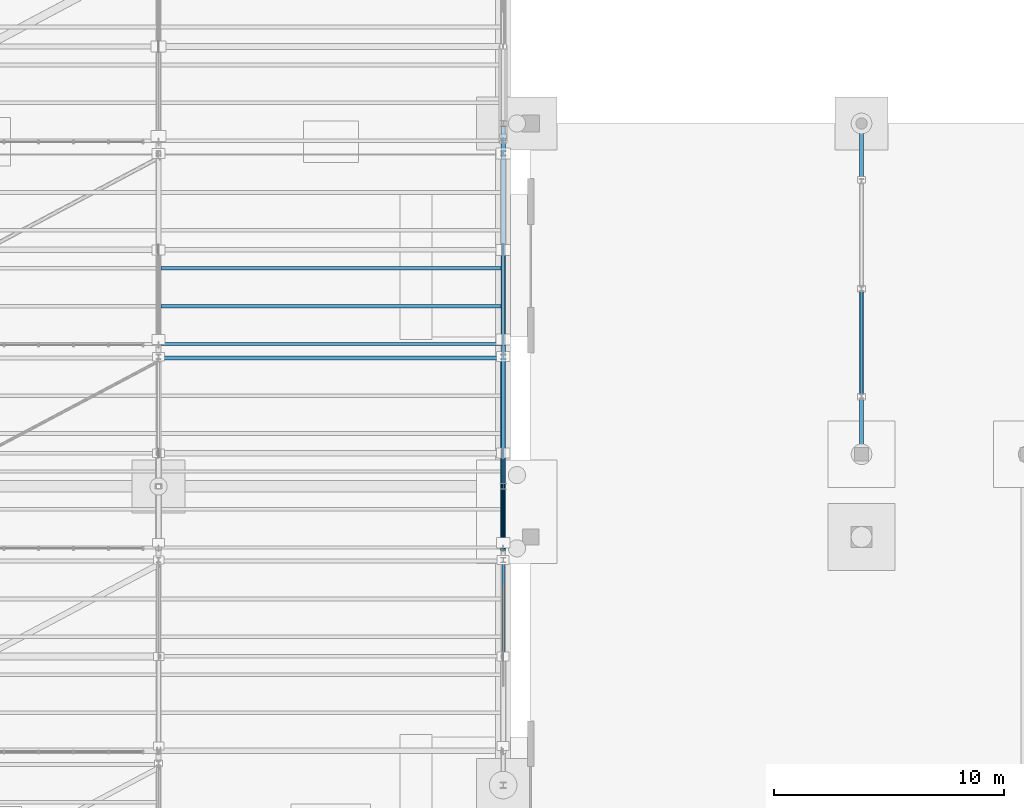
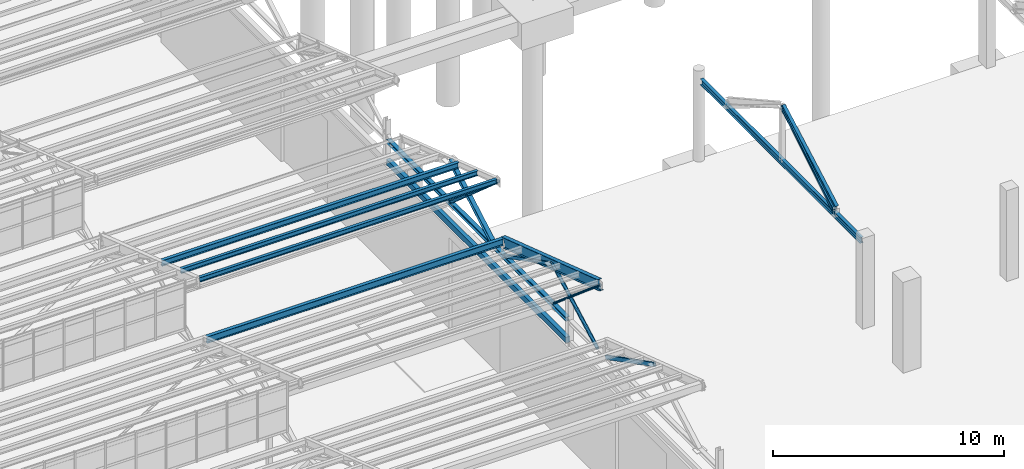
# One storey, part 121 of 285: 9 beams, 7 members.
"""IFC4 building model written with IfcOpenShell, lengths in metres."""

from ifc_helpers import new_model, si_unit, direction, frame, origin, origin_2d, place, context, subcontext, project, spatial, rectangle, hollow_rectangle, hollow_circle, i_section, extrude, material, material_profile, profile_set, type_object, element, save


model = new_model("IFC4")

# Units and contexts
model_context = context("Model", 3, precision=1e-05, world=origin(), true_north=direction((0.0, 1.0)))
body_context = subcontext(model_context, "Body", "Model", "MODEL_VIEW")
ifc_project = project(units=[si_unit("LENGTHUNIT", "METRE"), si_unit("AREAUNIT", "SQUARE_METRE"), si_unit("VOLUMEUNIT", "CUBIC_METRE"), si_unit("PLANEANGLEUNIT", "RADIAN"), si_unit("MASSUNIT", "GRAM", prefix="KILO")], contexts=[model_context])

# Site, building, storey
site_placement = place(None, origin())
site = spatial("IfcSite", under=ifc_project, at=site_placement, CompositionType="ELEMENT")
building_placement = place(site_placement, origin())
building = spatial("IfcBuilding", under=site, at=building_placement, Name="Solanera Park Tramway Depot", CompositionType="ELEMENT")
storey_placement = place(building_placement, origin())
storey = spatial("IfcBuildingStorey", under=building, at=storey_placement, Name="L00", CompositionType="ELEMENT", Elevation=0.0)

# Beam
ifc_material_1 = material(Name="Concrete N40 (C40/50)", Category="concrete")
ifc_material_profile_1 = material_profile(ifc_material_1, rectangle(XDim=0.199951171875, YDim=0.300048828125, at=origin_2d()), Name="LNT 200x300")
ifc_profile_set_1 = profile_set([ifc_material_profile_1], Name="Concrete N40 (C40/50)")
beam_type_1 = type_object("IfcBeamType", Name="Opening Lintel Beam LNT 200x300", PredefinedType="LINTEL", material=ifc_profile_set_1)
beam_1_placement = place(storey_placement, frame((150.0, 85.1201171875, 5.39990234375), z_axis=(0.0, 1.0, 0.0), x_axis=(-1.0, 0.0, 0.0)))
element("IfcBeam", 1, at=beam_1_placement, inside=storey, type_object=beam_type_1, Name="L00 Portal Transom Lintel LNT 200x300 #0299", PredefinedType="LINTEL", context=body_context, shape_type="SweptSolid", body=[
    extrude(rectangle(XDim=0.199951171875, YDim=0.300048828125, at=origin_2d()), origin(), (0.0, 0.0, 1.0), 15.559814453125),
])

# Members
ifc_material_2 = material(Name="Steel AS/NZS 1163 Grade C350L0", Category="steel")
ifc_material_profile_2 = material_profile(ifc_material_2, hollow_circle(Radius=0.084228515625, WallThickness=0.00634765625, at=origin_2d()), Name="168.3x6.4 CHS")
ifc_profile_set_2 = profile_set([ifc_material_profile_2], Name="Steel AS/NZS 1163 Grade C350L0")
member_type_1 = type_object("IfcMemberType", Name="Roof Gantry Compression Strut 168.3x6.4 CHS", PredefinedType="STRUT", material=ifc_profile_set_2)
member_1_placement = place(storey_placement, frame((150.0, 82.550048828125, 6.5), z_axis=(0.0, 0.877666599941, 0.479271675929), x_axis=(-1.0, 0.0, 0.0)))
element("IfcMember", 2, at=member_1_placement, inside=storey, type_object=member_type_1, Name="Sawtooth ROOF TRUSS Strut 168.3x6.4 CHS #0164", PredefinedType="STRUT", context=body_context, shape_type="SweptSolid", body=[
    extrude(hollow_circle(Radius=0.084228515625, WallThickness=0.00634765625, at=origin_2d()), origin(), (0.0, 0.0, 1.0), 4.443603515625),
])
ifc_material_3 = material(Name="Steel AS/NZS 3679.1 Grade 350", Category="steel")
ifc_material_profile_3 = material_profile(ifc_material_3, i_section(OverallWidth=0.205078125, OverallDepth=0.209716796875, WebThickness=0.00927734375, FlangeThickness=0.01416015625, at=origin_2d()), Name="200UC59.5")
ifc_profile_set_3 = profile_set([ifc_material_profile_3], Name="Steel AS/NZS 3679.1 Grade 350")
member_type_2 = type_object("IfcMemberType", Name="Roof Gantry Compression Strut 200UC59.5", PredefinedType="STRUT", material=ifc_profile_set_3)
member_2_placement = place(storey_placement, frame((150.0, 91.39990234375, 6.5), z_axis=(0.0, 0.866897509249, 0.498486417525), x_axis=(-1.0, 0.0, 0.0)))
element("IfcMember", 3, at=member_2_placement, inside=storey, type_object=member_type_2, Name="Sawtooth ROOF TRUSS Strut 200UC59.5 #0211", PredefinedType="STRUT", context=body_context, shape_type="SweptSolid", body=[
    extrude(i_section(OverallWidth=0.205078125, OverallDepth=0.209716796875, WebThickness=0.00927734375, FlangeThickness=0.01416015625, at=origin_2d()), origin(), (0.0, 0.0, 1.0), 4.4990234375),
])

# Beams
ifc_material_4 = material(Name="Steel AS/NZS 3679.1 Grade 350", Category="steel")
ifc_material_profile_4 = material_profile(ifc_material_4, i_section(OverallWidth=0.205078125, OverallDepth=0.209716796875, WebThickness=0.00927734375, FlangeThickness=0.01416015625, at=origin_2d()), Name="200UC59.5")
ifc_profile_set_4 = profile_set([ifc_material_profile_4], Name="Steel AS/NZS 3679.1 Grade 350")
beam_type_2 = type_object("IfcBeamType", Name="Steel Beam 200UC59.5", PredefinedType="BEAM", material=ifc_profile_set_4)
beam_2_placement = place(storey_placement, frame((150.0, 85.127685546875, 6.5), z_axis=(0.0, 1.0, 0.0), x_axis=(-1.0, 0.0, 0.0)))
element("IfcBeam", 4, at=beam_2_placement, inside=storey, type_object=beam_type_2, Name="Sawtooth ROOF TRUSS Bottom Chord 200UC59.5 #0398", PredefinedType="BEAM", context=body_context, shape_type="SweptSolid", body=[
    extrude(i_section(OverallWidth=0.205078125, OverallDepth=0.209716796875, WebThickness=0.00927734375, FlangeThickness=0.01416015625, at=origin_2d()), origin(), (0.0, 0.0, 1.0), 15.54541015625),
])
ifc_material_5 = material(Name="Steel AS/NZS 3679.1 Grade 350", Category="steel")
ifc_material_profile_5 = material_profile(ifc_material_5, i_section(OverallWidth=0.166015625, OverallDepth=0.30712890625, WebThickness=0.006591796875, FlangeThickness=0.01171875, at=origin_2d()), Name="310UB46.2")
ifc_profile_set_5 = profile_set([ifc_material_profile_5], Name="Steel AS/NZS 3679.1 Grade 350")
beam_type_3 = type_object("IfcBeamType", Name="Steel Beam 310UB46.2", PredefinedType="BEAM", material=ifc_profile_set_5)
beam_3_placement = place(storey_placement, frame((165.60009765625, 86.699951171875, 4.246337890625), z_axis=(0.0, 1.0, 0.0), x_axis=(-1.0, 0.0, 0.0)))
element("IfcBeam", 5, at=beam_3_placement, inside=storey, type_object=beam_type_3, Name="L00 Hip ROOF TRUSS Tie 310UB46.2 #1113", PredefinedType="BEAM", context=body_context, shape_type="SweptSolid", body=[
    extrude(i_section(OverallWidth=0.166015625, OverallDepth=0.30712890625, WebThickness=0.006591796875, FlangeThickness=0.01171875, at=origin_2d()), origin(), (0.0, 0.0, 1.0), 13.85009765625),
])
beam_4_placement = place(storey_placement, frame((165.60009765625, 88.919921875, 4.613525390625), z_axis=(0.0, 0.874575503769, 0.484889356666), x_axis=(-1.0, 0.0, 0.0)))
element("IfcBeam", 6, at=beam_4_placement, inside=storey, type_object=beam_type_3, Name="L00 Hip ROOF TRUSS Rafter 310UB46.2 #1114", PredefinedType="BEAM", context=body_context, shape_type="SweptSolid", body=[
    extrude(i_section(OverallWidth=0.166015625, OverallDepth=0.30712890625, WebThickness=0.006591796875, FlangeThickness=0.01171875, at=origin_2d()), origin(), (0.0, 0.0, 1.0), 5.28271484375),
])
ifc_material_6 = material(Name="Steel AS/NZS 3679.1 Grade 350", Category="steel")
ifc_material_profile_6 = material_profile(ifc_material_6, i_section(OverallWidth=0.209228515625, OverallDepth=0.532958984375, WebThickness=0.01025390625, FlangeThickness=0.015625, at=origin_2d()), Name="530UB92.4")
ifc_profile_set_6 = profile_set([ifc_material_profile_6], Name="Steel AS/NZS 3679.1 Grade 350")
beam_type_4 = type_object("IfcBeamType", Name="Steel Beam 530UB92.4", PredefinedType="BEAM", material=ifc_profile_set_6)
beam_5_placement = place(storey_placement, frame((150.0, 82.300048828125, 10.018310546875), z_axis=(0.0, 0.948319437663, -0.317317261034), x_axis=(-1.0, 0.0, 0.0)))
element("IfcBeam", 7, at=beam_5_placement, inside=storey, type_object=beam_type_4, Name="Sawtooth ROOF TRUSS Top Rafter 530UB92.4 B04-T11", PredefinedType="BEAM", context=body_context, shape_type="SweptSolid", body=[
    extrude(i_section(OverallWidth=0.209228515625, OverallDepth=0.532958984375, WebThickness=0.01025390625, FlangeThickness=0.015625, at=origin_2d()), origin(), (0.0, 0.0, 1.0), 8.804931640625),
])
ifc_material_7 = material(Name="Steel AS/NZS 3679.1 Grade 350", Category="steel")
ifc_material_profile_7 = material_profile(ifc_material_7, i_section(OverallWidth=0.14599609375, OverallDepth=0.251708984375, WebThickness=0.006103515625, FlangeThickness=0.008544921875, at=origin_2d()), Name="250UB31.4")
ifc_profile_set_7 = profile_set([ifc_material_profile_7], Name="Steel AS/NZS 3679.1 Grade 350")
beam_type_5 = type_object("IfcBeamType", Name="Steel Joist Purlin 250UB31.4", PredefinedType="JOIST", material=ifc_profile_set_7)
beam_6_placement = place(storey_placement, frame((135.0966796875, 91.199951171875, 10.139892578125), z_axis=(1.0, 0.0, 0.0), x_axis=(0.0, 1.0, 0.0)))
element("IfcBeam", 8, at=beam_6_placement, inside=storey, type_object=beam_type_5, Name="Sawtooth Roof Purlin 250UB31.4 B05.1", PredefinedType="JOIST", context=body_context, shape_type="SweptSolid", body=[
    extrude(i_section(OverallWidth=0.14599609375, OverallDepth=0.251708984375, WebThickness=0.006103515625, FlangeThickness=0.008544921875, at=origin_2d()), origin(), (0.0, 0.0, 1.0), 14.828369140625),
])
ifc_material_8 = material(Name="Steel AS/NZS 3679.1 Grade 350", Category="steel")
ifc_material_profile_8 = material_profile(ifc_material_8, i_section(OverallWidth=0.146484375, OverallDepth=0.256103515625, WebThickness=0.00634765625, FlangeThickness=0.010986328125, at=origin_2d()), Name="250UB37.3")
ifc_profile_set_8 = profile_set([ifc_material_profile_8], Name="Steel AS/NZS 3679.1 Grade 350")
beam_type_6 = type_object("IfcBeamType", Name="Steel Joist Purlin 250UB37.3", PredefinedType="JOIST", material=ifc_profile_set_8)
beam_7_placement = place(storey_placement, frame((135.0966796875, 92.85009765625, 9.58544921875), z_axis=(1.0, 0.0, 0.0), x_axis=(0.0, 1.0, 0.0)))
element("IfcBeam", 9, at=beam_7_placement, inside=storey, type_object=beam_type_6, Name="Sawtooth Roof Purlin 250UB37.3 B05.2", PredefinedType="JOIST", context=body_context, shape_type="SweptSolid", body=[
    extrude(i_section(OverallWidth=0.146484375, OverallDepth=0.256103515625, WebThickness=0.00634765625, FlangeThickness=0.010986328125, at=origin_2d()), origin(), (0.0, 0.0, 1.0), 14.828369140625),
])
ifc_material_9 = material(Name="Steel AS/NZS 3679.1 Grade 350", Category="steel")
ifc_material_profile_9 = material_profile(ifc_material_9, i_section(OverallWidth=0.1650390625, OverallDepth=0.3037109375, WebThickness=0.006103515625, FlangeThickness=0.01025390625, at=origin_2d()), Name="310UB40.4")
ifc_profile_set_9 = profile_set([ifc_material_profile_9], Name="Steel AS/NZS 3679.1 Grade 350")
beam_type_7 = type_object("IfcBeamType", Name="Steel Joist Purlin 310UB40.4", PredefinedType="JOIST", material=ifc_profile_set_9)
beam_8_placement = place(storey_placement, frame((135.0966796875, 94.5, 9.00634765625), z_axis=(1.0, 0.0, 0.0), x_axis=(0.0, 1.0, 0.0)))
element("IfcBeam", 10, at=beam_8_placement, inside=storey, type_object=beam_type_7, Name="Sawtooth Roof Purlin 310UB40.4 B05.3", PredefinedType="JOIST", context=body_context, shape_type="SweptSolid", body=[
    extrude(i_section(OverallWidth=0.1650390625, OverallDepth=0.3037109375, WebThickness=0.006103515625, FlangeThickness=0.01025390625, at=origin_2d()), origin(), (0.0, 0.0, 1.0), 14.828369140625),
])
ifc_material_10 = material(Name="Steel AS/NZS 3679.1 Grade 350", Category="steel")
ifc_material_profile_10 = material_profile(ifc_material_10, i_section(OverallWidth=0.17138671875, OverallDepth=0.355712890625, WebThickness=0.00732421875, FlangeThickness=0.011474609375, at=origin_2d()), Name="360UB50.7")
ifc_profile_set_10 = profile_set([ifc_material_profile_10], Name="Steel AS/NZS 3679.1 Grade 350")
beam_type_8 = type_object("IfcBeamType", Name="Steel Joist Purlin 360UB50.7", PredefinedType="JOIST", material=ifc_profile_set_10)
beam_9_placement = place(storey_placement, frame((135.087158203125, 90.60009765625, 7.3232421875), z_axis=(1.0, 0.0, 0.0), x_axis=(0.0, 1.0, 0.0)))
element("IfcBeam", 11, at=beam_9_placement, inside=storey, type_object=beam_type_8, Name="Sawtooth Roof Purlin 360UB50.7 B04.6", PredefinedType="JOIST", context=body_context, shape_type="SweptSolid", body=[
    extrude(i_section(OverallWidth=0.17138671875, OverallDepth=0.355712890625, WebThickness=0.00732421875, FlangeThickness=0.011474609375, at=origin_2d()), origin(), (0.0, 0.0, 1.0), 14.816162109375),
])

# Members
ifc_material_11 = material(Name="Steel AS/NZS 1163 Grade C350L0", Category="steel")
ifc_material_profile_11 = material_profile(ifc_material_11, hollow_circle(Radius=0.05712890625, WallThickness=0.0048828125, at=origin_2d()), Name="114.3x4.8 CHS")
ifc_profile_set_11 = profile_set([ifc_material_profile_11], Name="Steel AS/NZS 1163 Grade C350L0")
member_type_3 = type_object("IfcMemberType", Name="Truss and Frame Brace 114.3x4.8 CHS", PredefinedType="BRACE", material=ifc_profile_set_11)
member_3_placement = place(storey_placement, frame((150.0, 86.449951171875, 6.5), z_axis=(0.0, -0.762764662408, 0.646676170724), x_axis=(1.0, 0.0, 0.0)))
element("IfcMember", 12, at=member_3_placement, inside=storey, type_object=member_type_3, Name="Sawtooth ROOF TRUSS Web Brace 114.3x4.8 CHS #0162", PredefinedType="BRACE", context=body_context, shape_type="SweptSolid", body=[
    extrude(hollow_circle(Radius=0.05712890625, WallThickness=0.0048828125, at=origin_2d()), origin(), (0.0, 0.0, 1.0), 5.440673828125),
])
ifc_material_12 = material(Name="Steel AS/NZS 1163 Grade C350L0", Category="steel")
ifc_material_profile_12 = material_profile(ifc_material_12, hollow_rectangle(XDim=0.14990234375, YDim=0.14990234375, WallThickness=0.006103515625, at=origin_2d()), Name="150x150x6.0 SHS")
ifc_profile_set_12 = profile_set([ifc_material_profile_12], Name="Steel AS/NZS 1163 Grade C350L0")
member_type_4 = type_object("IfcMemberType", Name="Truss and Frame Brace 150x150x6.0 SHS", PredefinedType="BRACE", material=ifc_profile_set_12)
member_4_placement = place(storey_placement, frame((150.0, 90.64990234375, 6.5), z_axis=(0.0, -0.891893316909, 0.452245852665), x_axis=(1.0, 0.0, 0.0)))
element("IfcMember", 13, at=member_4_placement, inside=storey, type_object=member_type_4, Name="Sawtooth ROOF TRUSS Diagonal 150x150x6.0 SHS #0163", PredefinedType="BRACE", context=body_context, shape_type="SweptSolid", body=[
    extrude(hollow_rectangle(XDim=0.14990234375, YDim=0.14990234375, WallThickness=0.006103515625, at=origin_2d()), origin(), (0.0, 0.0, 1.0), 4.708984375),
])
member_5_placement = place(storey_placement, frame((165.60009765625, 88.89990234375, 4.246337890625), z_axis=(0.0, 0.848720703534, 0.528841344255), x_axis=(-1.0, 0.0, 0.0)))
element("IfcMember", 14, at=member_5_placement, inside=storey, type_object=member_type_4, Name="Hip ROOF TRUSS Web #0483", PredefinedType="BRACE", context=body_context, shape_type="SweptSolid", body=[
    extrude(hollow_rectangle(XDim=0.14990234375, YDim=0.14990234375, WallThickness=0.006103515625, at=origin_2d()), origin(), (0.0, 0.0, 1.0), 5.5380859375),
])
ifc_material_13 = material(Name="Steel AS/NZS 1163 Grade C350L0", Category="steel")
ifc_material_profile_13 = material_profile(ifc_material_13, hollow_circle(Radius=0.084228515625, WallThickness=0.00634765625, at=origin_2d()), Name="168.3x6.4 CHS")
ifc_profile_set_13 = profile_set([ifc_material_profile_13], Name="Steel AS/NZS 1163 Grade C350L0")
member_type_5 = type_object("IfcMemberType", Name="Truss and Frame Brace 168.3x6.4 CHS", PredefinedType="BRACE", material=ifc_profile_set_13)
member_6_placement = place(storey_placement, frame((150.0, 95.300048828125, 6.5), z_axis=(0.0, -0.752601377508, 0.658476397886), x_axis=(1.0, 0.0, 0.0)))
element("IfcMember", 15, at=member_6_placement, inside=storey, type_object=member_type_5, Name="Sawtooth ROOF TRUSS Web Brace 168.3x6.4 CHS #0209", PredefinedType="BRACE", context=body_context, shape_type="SweptSolid", body=[
    extrude(hollow_circle(Radius=0.084228515625, WallThickness=0.00634765625, at=origin_2d()), origin(), (0.0, 0.0, 1.0), 5.514404296875),
])
ifc_material_14 = material(Name="Steel AS/NZS 1163 Grade C350L0", Category="steel")
ifc_material_profile_14 = material_profile(ifc_material_14, hollow_rectangle(XDim=0.10009765625, YDim=0.199951171875, WallThickness=0.006103515625, at=origin_2d()), Name="200x100x6.0 RHS")
ifc_profile_set_14 = profile_set([ifc_material_profile_14], Name="Steel AS/NZS 1163 Grade C350L0")
member_type_6 = type_object("IfcMemberType", Name="Truss and Frame Brace 200x100x6.0 RHS", PredefinedType="BRACE", material=ifc_profile_set_14)
member_7_placement = place(storey_placement, frame((150.0, 81.800048828125, 6.5), z_axis=(0.0, -0.888641030015, 0.458603445008), x_axis=(1.0, 0.0, 0.0)))
element("IfcMember", 16, at=member_7_placement, inside=storey, type_object=member_type_6, Name="Sawtooth ROOF TRUSS Diagonal 200x100x6.0 RHS #0116", PredefinedType="BRACE", context=body_context, shape_type="SweptSolid", body=[
    extrude(hollow_rectangle(XDim=0.10009765625, YDim=0.199951171875, WallThickness=0.006103515625, at=origin_2d()), origin(), (0.0, 0.0, 1.0), 4.726318359375),
])

save(model, "model.ifc")
